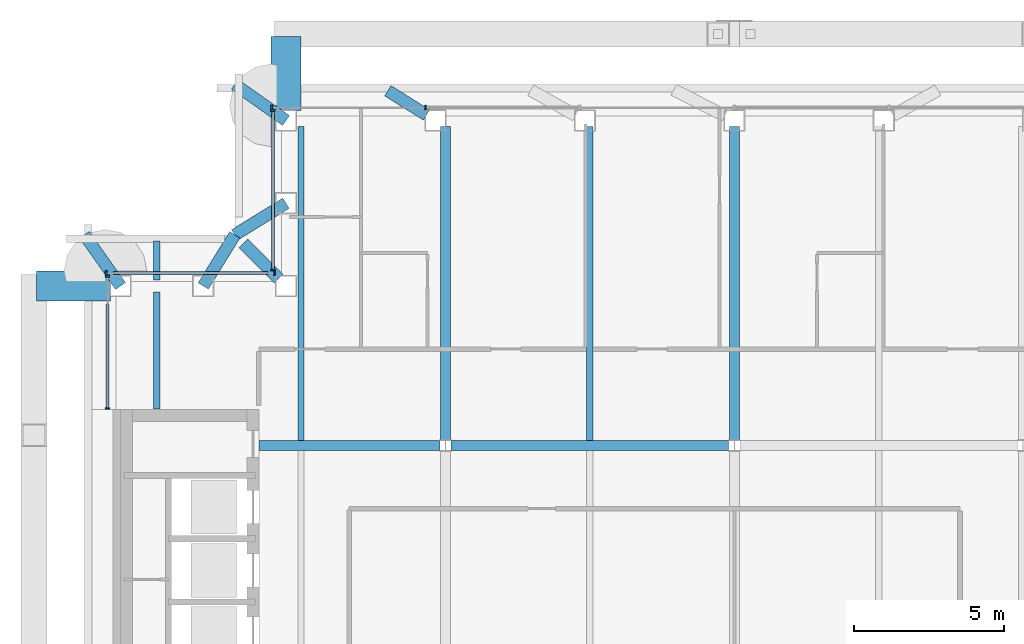
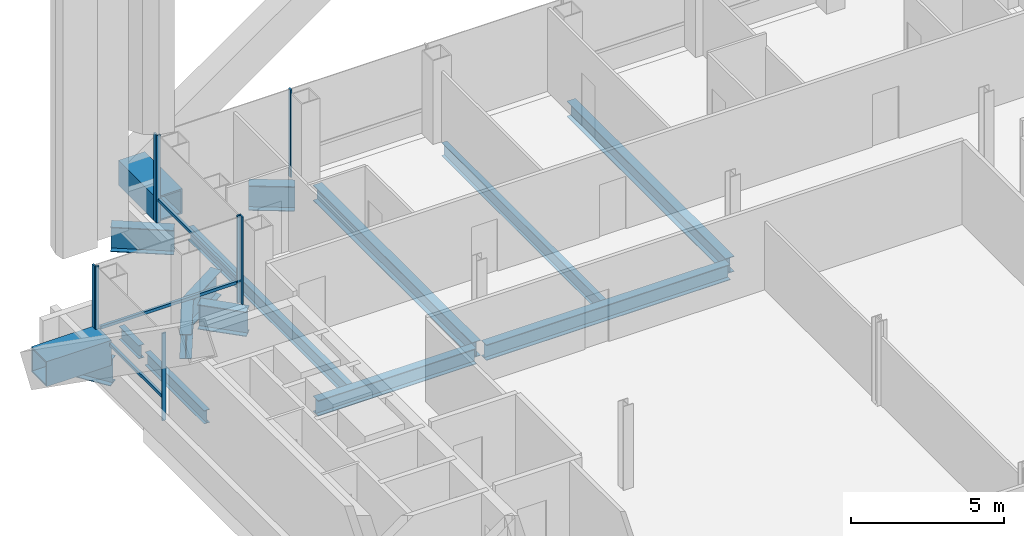
# One storey, part 8 of 22: 16 beams, 11 members, 4 elements without a shape of their own.
"""IFC4 building model written with IfcOpenShell, lengths in metres."""

import ifcopenshell
import ifcopenshell.guid

model = None  # the IFC model being written
_history = None  # IfcOwnerHistory: only IFC2X3 demands one
_inside = {}  # id of a spatial element -> (the spatial element, [elements in it])
_under = {}  # id of a project, library or spatial element -> (it, [spatial elements below it])
_declared = {}  # id of a project -> (the project, [libraries it declares])
_typed = {}  # id of a type object -> (the type object, [elements of that type])
_made_of = {}  # id of a material, layer set ... -> (it, [elements and type objects made of it])


def new_model(schema):
    """Start an empty IFC model of exactly this schema.

    Asked for "IFC4X3", IfcOpenShell would pick the latest addendum, in which some entities
    have other attributes; the version numbers below select the first issue.
    IFC2X3 requires an IfcOwnerHistory on every rooted entity: one is made here for all.
    """
    global model, _history
    if schema == "IFC4X3":
        model = ifcopenshell.file(schema_version=(4, 3, 0, 0))
    else:
        model = ifcopenshell.file(schema=schema)
    _inside.clear()
    _under.clear()
    _declared.clear()
    _typed.clear()
    _made_of.clear()
    _history = None
    if model.schema == "IFC2X3":
        org = make("IfcOrganization", Name="unknown")
        user = make(
            "IfcPersonAndOrganization",
            ThePerson=make("IfcPerson", FamilyName="unknown"),
            TheOrganization=org,
        )
        app = make(
            "IfcApplication",
            ApplicationDeveloper=org,
            Version="unknown",
            ApplicationFullName="unknown",
            ApplicationIdentifier="unknown",
        )
        _history = make(
            "IfcOwnerHistory",
            OwningUser=user,
            OwningApplication=app,
            ChangeAction="ADDED",
            CreationDate=0,
        )
    return model


def make(cls, **values):
    """One entity of the class cls with the attributes given. An attribute that is None is left unset."""
    return model.create_entity(
        cls, **{name: value for name, value in values.items() if value is not None}
    )


def rooted(cls, **values):
    """An entity with a GlobalId (a new one), such as an element, a storey or a relation."""
    return make(cls, GlobalId=ifcopenshell.guid.new(), OwnerHistory=_history, **values)


def si_unit(unit_type, name, prefix=None):
    """IfcSIUnit, for example si_unit("LENGTHUNIT", "METRE", prefix="MILLI")."""
    return make("IfcSIUnit", UnitType=unit_type, Prefix=prefix, Name=name)


def assignment(units):
    """IfcUnitAssignment: the units of a project."""
    return None if units is None else make("IfcUnitAssignment", Units=units)


def point(xyz):
    """IfcCartesianPoint."""
    return None if xyz is None else make("IfcCartesianPoint", Coordinates=xyz)


def direction(xyz):
    """IfcDirection."""
    return None if xyz is None else make("IfcDirection", DirectionRatios=xyz)


def frame(location, z_axis=None, x_axis=None):
    """IfcAxis2Placement3D, a coordinate frame: its origin and axes. An axis left out is left unset."""
    return make(
        "IfcAxis2Placement3D",
        Location=point(location),
        Axis=direction(z_axis),
        RefDirection=direction(x_axis),
    )


def frame_2d(location, x_axis=None):
    """IfcAxis2Placement2D, a coordinate frame in the plane: its origin and x axis."""
    return make(
        "IfcAxis2Placement2D", Location=point(location), RefDirection=direction(x_axis)
    )


def origin():
    """The frame at (0, 0, 0) with its axes left unset."""
    return frame((0.0, 0.0, 0.0))


def origin_2d():
    """The frame at (0, 0) in the plane with its x axis left unset."""
    return frame_2d((0.0, 0.0))


def place(relative_to, where):
    """IfcLocalPlacement: puts the frame where relative to a parent placement (None: the world)."""
    return make(
        "IfcLocalPlacement", PlacementRelTo=relative_to, RelativePlacement=where
    )


def context(
    kind, dimensions, precision=None, world=None, true_north=None, identifier=None
):
    """IfcGeometricRepresentationContext, for example the 3D "Model" context."""
    return make(
        "IfcGeometricRepresentationContext",
        ContextIdentifier=identifier,
        ContextType=kind,
        CoordinateSpaceDimension=dimensions,
        Precision=precision,
        WorldCoordinateSystem=world,
        TrueNorth=true_north,
    )


def subcontext(parent, identifier, kind, view, scale=None):
    """IfcGeometricRepresentationSubContext, for example "Body" below "Model"."""
    return make(
        "IfcGeometricRepresentationSubContext",
        ContextIdentifier=identifier,
        ContextType=kind,
        ParentContext=parent,
        TargetScale=scale,
        TargetView=view,
    )


def project(units=None, contexts=None):
    """IfcProject with its units and contexts."""
    return rooted(
        "IfcProject",
        Name="project",
        RepresentationContexts=contexts,
        UnitsInContext=assignment(units),
    )


def spatial(cls, under=None, at=None, **own):
    """A site, building, storey or space (cls), placed at a placement, below another one or the project."""
    s = rooted(cls, ObjectPlacement=at, **own)
    if under is not None:
        _under.setdefault(under.id(), (under, []))[1].append(s)
    return s


def profile(cls, at=None, kind="AREA", **sizes):
    """A parametric profile (cls). Its sizes go by their IFC names, for example OverallWidth=200.0."""
    return make(cls, ProfileType=kind, Position=at, **sizes)


def rectangle(**sizes):
    """IfcRectangleProfileDef."""
    return profile("IfcRectangleProfileDef", **sizes)


def hollow_rectangle(**sizes):
    """IfcRectangleHollowProfileDef."""
    return profile("IfcRectangleHollowProfileDef", **sizes)


def i_section(**sizes):
    """IfcIShapeProfileDef."""
    return profile("IfcIShapeProfileDef", **sizes)


def extrude(swept, where, along, depth):
    """IfcExtrudedAreaSolid: the profile swept, set in the frame where, extruded along a direction by depth."""
    return make(
        "IfcExtrudedAreaSolid",
        SweptArea=swept,
        Position=where,
        ExtrudedDirection=direction(along),
        Depth=depth,
    )


def shape(context_of_items, identifier, shape_type, items):
    """IfcShapeRepresentation: the items that make up one representation, for example the "Body"."""
    return make(
        "IfcShapeRepresentation",
        ContextOfItems=context_of_items,
        RepresentationIdentifier=identifier,
        RepresentationType=shape_type,
        Items=items,
    )


def material(Name=None, Category=None):
    """IfcMaterial."""
    return make("IfcMaterial", Name=Name, Category=Category)


def material_profile(
    of_material, cross_section, Name=None, Category=None, Priority=None
):
    """IfcMaterialProfile: a cross section and its material."""
    return make(
        "IfcMaterialProfile",
        Name=Name,
        Material=of_material,
        Profile=cross_section,
        Priority=Priority,
        Category=Category,
    )


def profile_set(profiles, Name=None, composite=None):
    """IfcMaterialProfileSet."""
    return make(
        "IfcMaterialProfileSet",
        Name=Name,
        MaterialProfiles=profiles,
        CompositeProfile=composite,
    )


def made_of(thing, what):
    """Note that an element or type object is made of a material, layer set ...; save() writes the relation."""
    if what is not None:
        _made_of.setdefault(what.id(), (what, []))[1].append(thing)
    return thing


def type_object(cls, material=None, **own):
    """A type object (cls), such as IfcWallType, which elements share."""
    return made_of(rooted(cls, **own), material)


def element(
    cls,
    number,
    at=None,
    inside=None,
    cuts=None,
    type_object=None,
    material=None,
    context=None,
    identifier="Body",
    shape_type=None,
    held_by="IfcProductDefinitionShape",
    body=None,
    shapes=None,
    **own,
):
    """One element of the class cls, such as IfcWall. Its Tag is "e" and its number.

    at: its placement. inside: the storey or other place that contains it. cuts: it is an
    opening in that element (IfcRelVoidsElement). A single representation is given by context,
    identifier, shape_type and body (its items); several are given by shapes. held_by: the class
    of the entity that holds the representations. save() writes the other relations.
    """
    e = rooted(cls, Tag="e%d" % number, ObjectPlacement=at, **own)
    if body is not None:
        shapes = [shape(context, identifier, shape_type, body)]
    if shapes is not None:
        e.Representation = make(held_by, Representations=shapes)
    if inside is not None:
        _inside.setdefault(inside.id(), (inside, []))[1].append(e)
    if cuts is not None:
        rooted(
            "IfcRelVoidsElement", RelatingBuildingElement=cuts, RelatedOpeningElement=e
        )
    if type_object is not None:
        _typed.setdefault(type_object.id(), (type_object, []))[1].append(e)
    return made_of(e, material)


def aggregate(whole, parts):
    """IfcRelAggregates: a whole, such as a stair, and the parts it consists of."""
    return rooted("IfcRelAggregates", RelatingObject=whole, RelatedObjects=parts)


def save(model, path):
    """Write the relations noted so far, then the file.

    IfcRelAggregates (storeys below a building ...), IfcRelContainedInSpatialStructure (elements
    in a storey), IfcRelDefinesByType, IfcRelAssociatesMaterial and IfcRelDeclares: one each for
    every whole, place, type object, material and project.
    """
    for whole, parts in _under.values():
        aggregate(whole, parts)
    for where, things in _inside.values():
        rooted(
            "IfcRelContainedInSpatialStructure",
            RelatedElements=things,
            RelatingStructure=where,
        )
    for kind, things in _typed.values():
        rooted("IfcRelDefinesByType", RelatedObjects=things, RelatingType=kind)
    for what, things in _made_of.values():
        rooted("IfcRelAssociatesMaterial", RelatedObjects=things, RelatingMaterial=what)
    for by, libraries in _declared.values():
        rooted("IfcRelDeclares", RelatingContext=by, RelatedDefinitions=libraries)
    model.write(path)


model = new_model("IFC4")

# Units and contexts
model_context = context("Model", 3, precision=1e-05, world=origin(), true_north=direction((0.0, 1.0)))
body_context = subcontext(model_context, "Body", "Model", "MODEL_VIEW")
ifc_project = project(units=[si_unit("LENGTHUNIT", "METRE"), si_unit("AREAUNIT", "SQUARE_METRE"), si_unit("VOLUMEUNIT", "CUBIC_METRE"), si_unit("PLANEANGLEUNIT", "RADIAN"), si_unit("MASSUNIT", "GRAM", prefix="KILO")], contexts=[model_context])

# Site, building, storey
site_placement = place(None, origin())
site = spatial("IfcSite", under=ifc_project, at=site_placement, CompositionType="ELEMENT")
building_placement = place(site_placement, origin())
building = spatial("IfcBuilding", under=site, at=building_placement, Name="Cobrizo Arcos Hotel Tower", CompositionType="ELEMENT")
storey_placement = place(building_placement, frame((0.0, 0.0, 191.0)))
storey = spatial("IfcBuildingStorey", under=building, at=storey_placement, Name="L49", CompositionType="ELEMENT", Elevation=191.0)

# Beams
ifc_material_1 = material(Name="Steel ASTM A572 Grade 50", Category="steel")
ifc_material_profile_1 = material_profile(ifc_material_1, hollow_rectangle(XDim=1.0, YDim=1.0, WallThickness=0.06005859375, at=origin_2d()), Name="BOX 1000X1000X60")
ifc_profile_set_1 = profile_set([ifc_material_profile_1], Name="Steel ASTM A572 Grade 50")
beam_type_1 = type_object("IfcBeamType", Name="BOX 1000X1000X60 brace connector strut", PredefinedType="BEAM", material=ifc_profile_set_1)
for number, where, z_axis, x_axis, name in (
    (1, (-14.89990234375, 20.739990234375, 0.5), (0.0, 1.0, 0.0), (-1.0, 0.0, 0.0), "Perimeter brace stub BS1, zone Z4, north face, offset -14.90 m, L49"),
    (2, (-20.739990234375, 14.89990234375, 0.5), (-1.0, 0.0, 0.0), (0.0, -1.0, 0.0), "Perimeter brace stub BS1, zone Z4, west face, offset +14.90 m, L49"),
):
    element("IfcBeam", number, at=place(storey_placement, frame(where, z_axis=z_axis, x_axis=x_axis)), inside=storey, type_object=beam_type_1, Name=name, PredefinedType="BEAM", context=body_context, shape_type="SweptSolid", body=[
        extrude(hollow_rectangle(XDim=1.0, YDim=1.0, WallThickness=0.06005859375, at=origin_2d()), origin(), (0.0, 0.0, 1.0), 2.455078125),
    ])

# Curtain wall, members
ifc_material_2 = material(Name="Aluminium 6063-T6 anodised bronze", Category="aluminium")
curtain_wall_type = type_object("IfcCurtainWallType", Name="CW-A guest facade", PredefinedType="NOTDEFINED", material=ifc_material_2)
curtain_wall_1_placement = place(storey_placement, origin())
curtain_wall_1 = element("IfcCurtainWall", 3, at=curtain_wall_1_placement, inside=storey, type_object=curtain_wall_type, Name="CW-A L49 N face", PredefinedType="NOTDEFINED")
ifc_material_profile_2 = material_profile(ifc_material_2, rectangle(XDim=0.14990234375, YDim=0.06005859375, at=origin_2d()), Name="CW-A mullion 150x60")
ifc_profile_set_2 = profile_set([ifc_material_profile_2], Name="Aluminium 6063-T6 anodised bronze")
member_type_1 = type_object("IfcMemberType", Name="CW-A mullion 150x60", PredefinedType="MULLION", material=ifc_profile_set_2)
member_1_placement = place(storey_placement, frame((-10.2666015625, 20.824951171875, 0.0), z_axis=(0.0, 0.0, 1.0), x_axis=(0.0, 1.0, 0.0)))
member_1 = element("IfcMember", 4, at=member_1_placement, type_object=member_type_1, Name="CW-A mullion 6", PredefinedType="MULLION", context=body_context, shape_type="SweptSolid", body=[
    extrude(rectangle(XDim=0.14990234375, YDim=0.06005859375, at=origin_2d()), origin(), (0.0, 0.0, 1.0), 3.5),
])
member_2_placement = place(storey_placement, frame((-15.3701171875, 20.824951171875, 0.0), z_axis=(0.0, 0.0, 1.0), x_axis=(0.0, 1.0, 0.0)))
member_2 = element("IfcMember", 5, at=member_2_placement, type_object=member_type_1, Name="CW-A mullion 7", PredefinedType="MULLION", context=body_context, shape_type="SweptSolid", body=[
    extrude(rectangle(XDim=0.14990234375, YDim=0.06005859375, at=origin_2d()), origin(), (0.0, 0.0, 1.0), 3.5),
])
aggregate(curtain_wall_1, [member_1, member_2])

curtain_wall_2_placement = place(storey_placement, origin())
curtain_wall_2 = element("IfcCurtainWall", 6, at=curtain_wall_2_placement, inside=storey, type_object=curtain_wall_type, Name="CW-A L49 W face", PredefinedType="NOTDEFINED")
member_3_placement = place(storey_placement, frame((-15.324951171875, 20.719970703125, 0.0), z_axis=(0.0, 0.0, 1.0), x_axis=(-1.0, 0.0, 0.0)))
member_3 = element("IfcMember", 7, at=member_3_placement, type_object=member_type_1, Name="CW-A mullion 1", PredefinedType="MULLION", context=body_context, shape_type="SweptSolid", body=[
    extrude(rectangle(XDim=0.14990234375, YDim=0.06005859375, at=origin_2d()), origin(), (0.0, 0.0, 1.0), 3.5),
])
member_4_placement = place(storey_placement, frame((-15.324951171875, 15.429931640625, 0.0), z_axis=(0.0, 0.0, 1.0), x_axis=(-1.0, 0.0, 0.0)))
member_4 = element("IfcMember", 8, at=member_4_placement, type_object=member_type_1, Name="CW-A mullion 2", PredefinedType="MULLION", context=body_context, shape_type="SweptSolid", body=[
    extrude(rectangle(XDim=0.14990234375, YDim=0.06005859375, at=origin_2d()), origin(), (0.0, 0.0, 1.0), 3.5),
])

curtain_wall_3_placement = place(storey_placement, origin())
curtain_wall_3 = element("IfcCurtainWall", 9, at=curtain_wall_3_placement, inside=storey, type_object=curtain_wall_type, Name="CW-A L49 N face", PredefinedType="NOTDEFINED")
member_5_placement = place(storey_placement, frame((-15.280029296875, 15.324951171875, 0.0), z_axis=(0.0, 0.0, 1.0), x_axis=(0.0, 1.0, 0.0)))
member_5 = element("IfcMember", 10, at=member_5_placement, type_object=member_type_1, Name="CW-A mullion 1", PredefinedType="MULLION", context=body_context, shape_type="SweptSolid", body=[
    extrude(rectangle(XDim=0.14990234375, YDim=0.06005859375, at=origin_2d()), origin(), (0.0, 0.0, 1.0), 3.5),
])
member_6_placement = place(storey_placement, frame((-20.8701171875, 15.324951171875, 0.0), z_axis=(0.0, 0.0, 1.0), x_axis=(0.0, 1.0, 0.0)))
member_6 = element("IfcMember", 11, at=member_6_placement, type_object=member_type_1, Name="CW-A mullion 2", PredefinedType="MULLION", context=body_context, shape_type="SweptSolid", body=[
    extrude(rectangle(XDim=0.14990234375, YDim=0.06005859375, at=origin_2d()), origin(), (0.0, 0.0, 1.0), 3.5),
])

curtain_wall_4_placement = place(storey_placement, origin())
curtain_wall_4 = element("IfcCurtainWall", 12, at=curtain_wall_4_placement, inside=storey, type_object=curtain_wall_type, Name="CW-A L49 W face", PredefinedType="NOTDEFINED")
member_7_placement = place(storey_placement, frame((-20.824951171875, 15.219970703125, 0.0), z_axis=(0.0, 0.0, 1.0), x_axis=(-1.0, 0.0, 0.0)))
member_7 = element("IfcMember", 13, at=member_7_placement, type_object=member_type_1, Name="CW-A mullion 1", PredefinedType="MULLION", context=body_context, shape_type="SweptSolid", body=[
    extrude(rectangle(XDim=0.14990234375, YDim=0.06005859375, at=origin_2d()), origin(), (0.0, 0.0, 1.0), 3.5),
])
member_8_placement = place(storey_placement, frame((-20.824951171875, 10.830078125, 0.0), z_axis=(0.0, 0.0, 1.0), x_axis=(-1.0, 0.0, 0.0)))
member_8 = element("IfcMember", 14, at=member_8_placement, type_object=member_type_1, Name="CW-A mullion 2", PredefinedType="MULLION", context=body_context, shape_type="SweptSolid", body=[
    extrude(rectangle(XDim=0.14990234375, YDim=0.06005859375, at=origin_2d()), origin(), (0.0, 0.0, 1.0), 3.5),
])

# Member
ifc_material_profile_3 = material_profile(ifc_material_2, rectangle(XDim=0.10009765625, YDim=0.1201171875, at=origin_2d()), Name="CW-A transom 120x100")
ifc_profile_set_3 = profile_set([ifc_material_profile_3], Name="Aluminium 6063-T6 anodised bronze")
member_type_2 = type_object("IfcMemberType", Name="CW-A transom 120x100", PredefinedType="USERDEFINED", material=ifc_profile_set_3)
member_9_placement = place(storey_placement, frame((-15.324951171875, 20.639892578125, 0.929931640625), z_axis=(0.0, -1.0, 0.0), x_axis=(1.0, 0.0, 0.0)))
member_9 = element("IfcMember", 15, at=member_9_placement, type_object=member_type_2, Name="CW-A transom 1714", ObjectType="TRANSOM", PredefinedType="USERDEFINED", context=body_context, shape_type="SweptSolid", body=[
    extrude(rectangle(XDim=0.10009765625, YDim=0.1201171875, at=origin_2d()), origin(), (0.0, 0.0, 1.0), 5.139892578125),
])

aggregate(curtain_wall_2, [member_3, member_4, member_9])

member_10_placement = place(storey_placement, frame((-15.5, 15.324951171875, 0.929931640625), z_axis=(-1.0, 0.0, 0.0), x_axis=(0.0, -1.0, 0.0)))
member_10 = element("IfcMember", 16, at=member_10_placement, type_object=member_type_2, Name="CW-A transom 1715", ObjectType="TRANSOM", PredefinedType="USERDEFINED", context=body_context, shape_type="SweptSolid", body=[
    extrude(rectangle(XDim=0.10009765625, YDim=0.1201171875, at=origin_2d()), origin(), (0.0, 0.0, 1.0), 5.139892578125),
])

aggregate(curtain_wall_3, [member_5, member_6, member_10])

member_11_placement = place(storey_placement, frame((-20.824951171875, 14.300048828125, 0.929931640625), z_axis=(0.0, -1.0, 0.0), x_axis=(1.0, 0.0, 0.0)))
member_11 = element("IfcMember", 17, at=member_11_placement, type_object=member_type_2, Name="CW-A transom 1716", ObjectType="TRANSOM", PredefinedType="USERDEFINED", context=body_context, shape_type="SweptSolid", body=[
    extrude(rectangle(XDim=0.10009765625, YDim=0.1201171875, at=origin_2d()), origin(), (0.0, 0.0, 1.0), 3.43994140625),
])

aggregate(curtain_wall_4, [member_7, member_8, member_11])

# Beams
ifc_material_3 = material(Name="Steel ASTM A992 Grade 50", Category="steel")
ifc_material_profile_4 = material_profile(ifc_material_3, i_section(OverallWidth=0.209228515625, OverallDepth=0.533447265625, WebThickness=0.01025390625, FlangeThickness=0.015625, at=origin_2d()), Name="W21X62")
ifc_profile_set_4 = profile_set([ifc_material_profile_4], Name="Steel ASTM A992 Grade 50")
beam_type_2 = type_object("IfcBeamType", Name="W21X62 joist", PredefinedType="JOIST", material=ifc_profile_set_4)
beam_1_placement = place(storey_placement, frame((-19.199951171875, 10.81005859375, -0.416748046875), z_axis=(0.0, 1.0, 0.0), x_axis=(-1.0, 0.0, 0.0)))
element("IfcBeam", 18, at=beam_1_placement, inside=storey, type_object=beam_type_2, Name="Floor joist J1, L49, no. 003", PredefinedType="JOIST", context=body_context, shape_type="SweptSolid", body=[
    extrude(i_section(OverallWidth=0.209228515625, OverallDepth=0.533447265625, WebThickness=0.01025390625, FlangeThickness=0.015625, at=origin_2d()), origin(), (0.0, 0.0, 1.0), 3.889404296875),
])
beam_2_placement = place(storey_placement, frame((-19.199951171875, 15.1005859375, -0.416748046875), z_axis=(0.0, 1.0, 0.0), x_axis=(-1.0, 0.0, 0.0)))
element("IfcBeam", 19, at=beam_2_placement, inside=storey, type_object=beam_type_2, Name="Floor joist J1, L49, no. 004", PredefinedType="JOIST", context=body_context, shape_type="SweptSolid", body=[
    extrude(i_section(OverallWidth=0.209228515625, OverallDepth=0.533447265625, WebThickness=0.01025390625, FlangeThickness=0.015625, at=origin_2d()), origin(), (0.0, 0.0, 1.0), 1.298828125),
])
for number, where, z_axis, x_axis, name in (
    (20, (-14.39990234375, 9.763916015625, -0.416748046875), (0.0, 1.0, 0.0), (-1.0, 0.0, 0.0), "Floor joist J1, L49, no. 008"),
    (21, (-4.800048828125, 9.763916015625, -0.416748046875), (0.0, 1.0, 0.0), (-1.0, 0.0, 0.0), "Floor joist J1, L49, no. 012"),
):
    element("IfcBeam", number, at=place(storey_placement, frame(where, z_axis=z_axis, x_axis=x_axis)), inside=storey, type_object=beam_type_2, Name=name, PredefinedType="JOIST", context=body_context, shape_type="SweptSolid", body=[
        extrude(i_section(OverallWidth=0.209228515625, OverallDepth=0.533447265625, WebThickness=0.01025390625, FlangeThickness=0.015625, at=origin_2d()), origin(), (0.0, 0.0, 1.0), 10.435546875),
    ])
ifc_material_profile_5 = material_profile(ifc_material_3, i_section(OverallWidth=0.32763671875, OverallDepth=0.622314453125, WebThickness=0.015380859375, FlangeThickness=0.0244140625, at=origin_2d()), Name="W24X131")
ifc_profile_set_5 = profile_set([ifc_material_profile_5], Name="Steel ASTM A992 Grade 50")
beam_type_3 = type_object("IfcBeamType", Name="W24X131 girder", PredefinedType="BEAM", material=ifc_profile_set_5)
beam_3_placement = place(storey_placement, frame((-15.7900390625, 9.60009765625, -0.461181640625), z_axis=(1.0, 0.0, 0.0), x_axis=(0.0, 1.0, 0.0)))
element("IfcBeam", 22, at=beam_3_placement, inside=storey, type_object=beam_type_3, Name="Floor girder G1, L49, no. 009", PredefinedType="BEAM", context=body_context, shape_type="SweptSolid", body=[
    extrude(i_section(OverallWidth=0.32763671875, OverallDepth=0.622314453125, WebThickness=0.015380859375, FlangeThickness=0.0244140625, at=origin_2d()), origin(), (0.0, 0.0, 1.0), 6.00341796875),
])
beam_4_placement = place(storey_placement, frame((-9.413330078125, 9.60009765625, -0.461181640625), z_axis=(1.0, 0.0, 0.0), x_axis=(0.0, 1.0, 0.0)))
element("IfcBeam", 23, at=beam_4_placement, inside=storey, type_object=beam_type_3, Name="Floor girder G1, L49, no. 010", PredefinedType="BEAM", context=body_context, shape_type="SweptSolid", body=[
    extrude(i_section(OverallWidth=0.32763671875, OverallDepth=0.622314453125, WebThickness=0.015380859375, FlangeThickness=0.0244140625, at=origin_2d()), origin(), (0.0, 0.0, 1.0), 9.2265625),
])
for number, where, z_axis, x_axis, name in (
    (24, (-9.60009765625, 9.78662109375, -0.461181640625), (0.0, 1.0, 0.0), (-1.0, 0.0, 0.0), "Floor girder G1, L49, no. 016"),
    (25, (0.0, 9.78662109375, -0.461181640625), (0.0, 1.0, 0.0), (-1.0, 0.0, 0.0), "Floor girder G1, L49, no. 020"),
):
    element("IfcBeam", number, at=place(storey_placement, frame(where, z_axis=z_axis, x_axis=x_axis)), inside=storey, type_object=beam_type_3, Name=name, PredefinedType="BEAM", context=body_context, shape_type="SweptSolid", body=[
        extrude(i_section(OverallWidth=0.32763671875, OverallDepth=0.622314453125, WebThickness=0.015380859375, FlangeThickness=0.0244140625, at=origin_2d()), origin(), (0.0, 0.0, 1.0), 10.412841796875),
    ])
ifc_material_profile_6 = material_profile(ifc_material_3, i_section(OverallWidth=0.4013671875, OverallDepth=0.990478515625, WebThickness=0.0166015625, FlangeThickness=0.025390625, at=origin_2d()), Name="W40X215")
ifc_profile_set_6 = profile_set([ifc_material_profile_6], Name="Steel ASTM A992 Grade 50")
beam_type_4 = type_object("IfcBeamType", Name="W40X215 transfer girder", PredefinedType="BEAM", material=ifc_profile_set_6)
beam_5_placement = place(storey_placement, frame((-16.60009765625, 21.60009765625, -0.645263671875), z_axis=(0.816954858588, -0.57670162045, 0.0), x_axis=(0.57670162045, 0.816954858588, 0.0)))
element("IfcBeam", 26, at=beam_5_placement, inside=storey, type_object=beam_type_4, Name="Setback transfer girder TG1, L49, no. 001", PredefinedType="BEAM", context=body_context, shape_type="SweptSolid", body=[
    extrude(i_section(OverallWidth=0.4013671875, OverallDepth=0.990478515625, WebThickness=0.0166015625, FlangeThickness=0.025390625, at=origin_2d()), origin(), (0.0, 0.0, 1.0), 2.0810546875),
])
beam_6_placement = place(storey_placement, frame((-11.517578125, 21.38818359375, -0.645263671875), z_axis=(0.848522130236, -0.529159895022, 0.0), x_axis=(0.529159895022, 0.848522130236, 0.0)))
element("IfcBeam", 27, at=beam_6_placement, inside=storey, type_object=beam_type_4, Name="Setback transfer girder TG1, L49, no. 003", PredefinedType="BEAM", context=body_context, shape_type="SweptSolid", body=[
    extrude(i_section(OverallWidth=0.4013671875, OverallDepth=0.990478515625, WebThickness=0.0166015625, FlangeThickness=0.025390625, at=origin_2d()), origin(), (0.0, 0.0, 1.0), 1.517578125),
])
beam_7_placement = place(storey_placement, frame((-21.60009765625, 16.60009765625, -0.645263671875), z_axis=(0.57670162045, -0.816954858588, 0.0), x_axis=(0.816954858588, 0.57670162045, 0.0)))
element("IfcBeam", 28, at=beam_7_placement, inside=storey, type_object=beam_type_4, Name="Setback transfer girder TG1, L49, no. 018", PredefinedType="BEAM", context=body_context, shape_type="SweptSolid", body=[
    extrude(i_section(OverallWidth=0.4013671875, OverallDepth=0.990478515625, WebThickness=0.0166015625, FlangeThickness=0.025390625, at=origin_2d()), origin(), (0.0, 0.0, 1.0), 2.0810546875),
])
beam_8_placement = place(storey_placement, frame((-16.317138671875, 16.317138671875, -0.645263671875), z_axis=(0.707106781187, -0.707106781187, 0.0), x_axis=(0.707106781187, 0.707106781187, 0.0)))
element("IfcBeam", 29, at=beam_8_placement, inside=storey, type_object=beam_type_4, Name="Setback transfer girder TG1, L49, no. 022", PredefinedType="BEAM", context=body_context, shape_type="SweptSolid", body=[
    extrude(i_section(OverallWidth=0.4013671875, OverallDepth=0.990478515625, WebThickness=0.0166015625, FlangeThickness=0.025390625, at=origin_2d()), origin(), (0.0, 0.0, 1.0), 1.654052734375),
])
for number, where, z_axis, x_axis, name in (
    (30, (-16.60009765625, 16.60009765625, -0.645263671875), (0.850868681752, 0.525378422104, 0.0), (-0.525378422104, 0.850868681752, 0.0), "Setback transfer girder TG1, L49, no. 023"),
    (31, (-16.60009765625, 16.60009765625, -0.645263671875), (-0.525378422104, -0.850868681752, 0.0), (0.850868681752, -0.525378422104, 0.0), "Setback transfer girder TG1, L49, no. 024"),
):
    element("IfcBeam", number, at=place(storey_placement, frame(where, z_axis=z_axis, x_axis=x_axis)), inside=storey, type_object=beam_type_4, Name=name, PredefinedType="BEAM", context=body_context, shape_type="SweptSolid", body=[
        extrude(i_section(OverallWidth=0.4013671875, OverallDepth=0.990478515625, WebThickness=0.0166015625, FlangeThickness=0.025390625, at=origin_2d()), origin(), (0.0, 0.0, 1.0), 1.998291015625),
    ])

save(model, "model.ifc")
